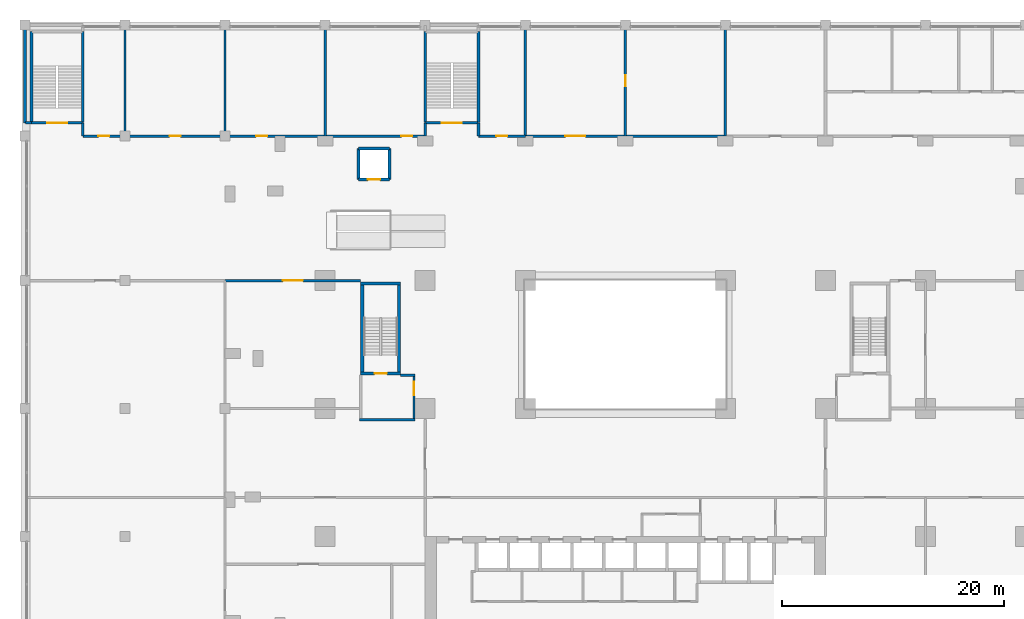
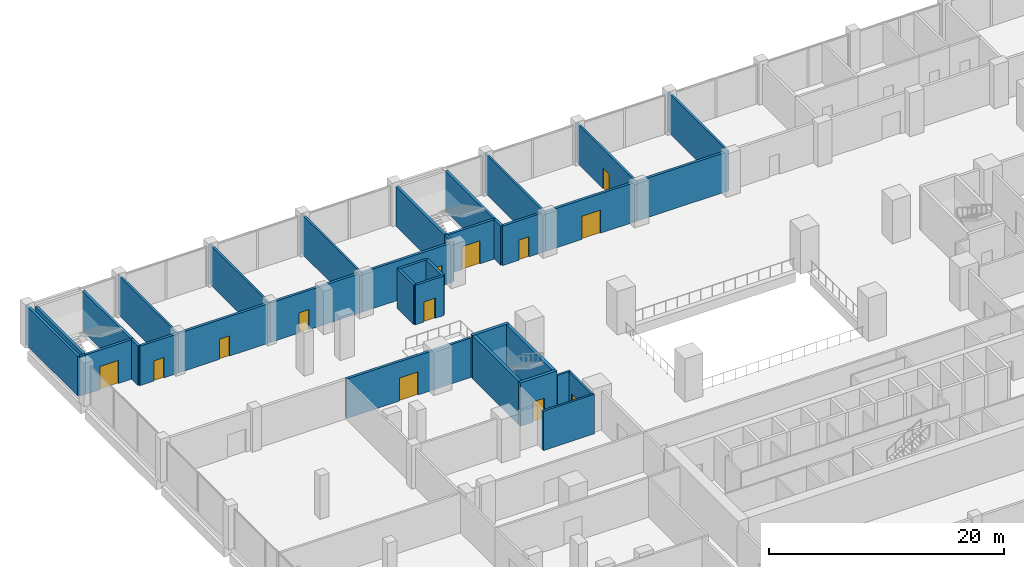
# One storey, part 17 of 22: 36 walls, 13 doors, 13 openings.
"""IFC4 building model written with IfcOpenShell, lengths in metres."""

from ifc_helpers import new_model, si_unit, direction, frame, frame_2d, origin, place, context, subcontext, project, spatial, rectangle, extrude, material, layer, layer_set, type_object, element, fill, save


model = new_model("IFC4")

# Units and contexts
model_context = context("Model", 3, precision=1e-05, world=origin(), true_north=direction((0.0, 1.0)))
body_context = subcontext(model_context, "Body", "Model", "MODEL_VIEW")
ifc_project = project(units=[si_unit("LENGTHUNIT", "METRE"), si_unit("AREAUNIT", "SQUARE_METRE"), si_unit("VOLUMEUNIT", "CUBIC_METRE"), si_unit("PLANEANGLEUNIT", "RADIAN"), si_unit("MASSUNIT", "GRAM", prefix="KILO")], contexts=[model_context])

# Site, building, storey
site_placement = place(None, origin())
site = spatial("IfcSite", under=ifc_project, at=site_placement, CompositionType="ELEMENT")
building_placement = place(site_placement, origin())
building = spatial("IfcBuilding", under=site, at=building_placement, Name="Brigalow Station Residences", CompositionType="ELEMENT")
storey_placement = place(building_placement, frame((0.0, 0.0, 6.5)))
storey = spatial("IfcBuildingStorey", under=building, at=storey_placement, Name="L01", CompositionType="ELEMENT", Elevation=6.5)

# Wall, opening, door
ifc_material_1 = material(Name="Concrete C80", Category="concrete")
ifc_layer_1 = layer(ifc_material_1, 0.300048828125)
ifc_layer_set_1 = layer_set([ifc_layer_1], Name="CORE SHEAR WALL 300 C80")
wall_type_1 = type_object("IfcWallType", Name="CORE SHEAR WALL 300 C80", PredefinedType="SHEAR", material=ifc_layer_set_1)
wall_1_placement = place(storey_placement, frame((12.199951171875, 27.14990234375, 0.0), z_axis=(0.0, 0.0, 1.0), x_axis=(1.0, 0.0, 0.0)))
wall_1 = element("IfcWall", 1, at=wall_1_placement, inside=storey, type_object=wall_type_1, Name="CORE WALL ST-S1-S L01", PredefinedType="SHEAR", context=body_context, shape_type="SweptSolid", body=[
    extrude(rectangle(XDim=3.60009765625, YDim=0.300048828125, at=frame_2d((1.800048828125, 0.0))), origin(), (0.0, 0.0, 1.0), 4.5),
])
opening_1_placement = place(wall_1_placement, frame((1.25, 0.0, 0.0)))
opening_1 = element("IfcOpeningElement", 2, at=opening_1_placement, cuts=wall_1, Name="Opening D-5015", PredefinedType="OPENING", context=body_context, shape_type="SweptSolid", body=[
    extrude(rectangle(XDim=1.10009765625, YDim=2.10009765625, at=frame_2d((0.550048828125, 1.050048828125))), frame((0.0, 0.16015625, 0.0), z_axis=(0.0, -1.0, 0.0), x_axis=(1.0, 0.0, 0.0)), (0.0, 0.0, 1.0), 0.320068359375),
])
ifc_material_2 = material(Name="Steel fire door leaf in steel frame", Category="steel")
door_type_1 = type_object("IfcDoorType", Name="STAIR DOOR 1100 x 2100 FD60S", OperationType="SINGLE_SWING_LEFT", PredefinedType="DOOR", material=ifc_material_2)
door_1_placement = place(opening_1_placement, origin())
door_1 = element("IfcDoor", 3, at=door_1_placement, inside=storey, type_object=door_type_1, Name="D-5015", OperationType="SINGLE_SWING_LEFT", OverallHeight=2.10009765625, OverallWidth=1.10009765625, PredefinedType="DOOR", context=body_context, shape_type="SweptSolid", body=[
    extrude(rectangle(XDim=1.10009765625, YDim=2.10009765625, at=frame_2d((0.550048828125, 1.050048828125))), frame((0.0, 0.02490234375, 0.0), z_axis=(0.0, -1.0, 0.0), x_axis=(1.0, 0.0, 0.0)), (0.0, 0.0, 1.0), 0.050048828125),
])
fill(opening_1, door_1)

# Walls
wall_2_placement = place(storey_placement, frame((12.199951171875, 35.25, 0.0), z_axis=(0.0, 0.0, 1.0), x_axis=(1.0, 0.0, 0.0)))
element("IfcWall", 4, at=wall_2_placement, inside=storey, type_object=wall_type_1, Name="CORE WALL ST-S1-N L01", PredefinedType="SHEAR", context=body_context, shape_type="SweptSolid", body=[
    extrude(rectangle(XDim=3.60009765625, YDim=0.300048828125, at=frame_2d((1.800048828125, 0.0))), origin(), (0.0, 0.0, 1.0), 4.5),
])
for number, where, z_axis, x_axis, name in (
    (5, (12.35009765625, 27.300048828125, 0.0), (0.0, 0.0, 1.0), (0.0, 1.0, 0.0), "CORE WALL ST-S1-W L01"),
    (6, (15.64990234375, 27.300048828125, 0.0), (0.0, 0.0, 1.0), (0.0, 1.0, 0.0), "CORE WALL ST-S1-E L01"),
):
    element("IfcWall", number, at=place(storey_placement, frame(where, z_axis=z_axis, x_axis=x_axis)), inside=storey, type_object=wall_type_1, Name=name, PredefinedType="SHEAR", context=body_context, shape_type="SweptSolid", body=[
        extrude(rectangle(XDim=7.800048828125, YDim=0.300048828125, at=frame_2d((3.89990234375, 0.0))), origin(), (0.0, 0.0, 1.0), 4.5),
    ])

# Wall, opening, door
ifc_material_3 = material(Name="Fire-rated plasterboard on steel studs", Category="steel")
ifc_layer_2 = layer(ifc_material_3, 0.25)
ifc_layer_set_2 = layer_set([ifc_layer_2], Name="FIRE PARTITION 250")
wall_type_2 = type_object("IfcWallType", Name="FIRE PARTITION 250", PredefinedType="PARTITIONING", material=ifc_layer_set_2)
wall_3_placement = place(storey_placement, frame((-12.800048828125, 48.5, 0.0), z_axis=(0.0, 0.0, 1.0), x_axis=(1.0, 0.0, 0.0)))
wall_3 = element("IfcWall", 7, at=wall_3_placement, inside=storey, type_object=wall_type_2, Name="Fire Partition 250 Mezzanine Gallery / Retail Unit 1", PredefinedType="PARTITIONING", context=body_context, shape_type="SweptSolid", body=[
    extrude(rectangle(XDim=3.800048828125, YDim=0.25, at=frame_2d((1.89990234375, 0.0))), origin(), (0.0, 0.0, 1.0), 4.097900390625),
])
opening_2_placement = place(wall_3_placement, frame((1.39990234375, 0.0, 0.0)))
opening_2 = element("IfcOpeningElement", 8, at=opening_2_placement, cuts=wall_3, Name="Opening D-7301", PredefinedType="OPENING", context=body_context, shape_type="SweptSolid", body=[
    extrude(rectangle(XDim=1.0, YDim=2.10009765625, at=frame_2d((0.5, 1.050048828125))), frame((0.0, 0.135009765625, 0.0), z_axis=(0.0, -1.0, 0.0), x_axis=(1.0, 0.0, 0.0)), (0.0, 0.0, 1.0), 0.27001953125),
])
ifc_material_4 = material(Name="Steel fire door leaf in steel frame", Category="steel")
door_type_2 = type_object("IfcDoorType", Name="DOOR SINGLE 1000 FIRE", OperationType="SINGLE_SWING_LEFT", PredefinedType="DOOR", material=ifc_material_4)
door_2_placement = place(opening_2_placement, origin())
door_2 = element("IfcDoor", 9, at=door_2_placement, inside=storey, type_object=door_type_2, Name="Retail unit 1 door", OperationType="SINGLE_SWING_LEFT", OverallHeight=2.10009765625, OverallWidth=1.0, PredefinedType="DOOR", context=body_context, shape_type="SweptSolid", body=[
    extrude(rectangle(XDim=1.0, YDim=2.10009765625, at=frame_2d((0.5, 1.050048828125))), frame((0.0, 0.02490234375, 0.0), z_axis=(0.0, -1.0, 0.0), x_axis=(1.0, 0.0, 0.0)), (0.0, 0.0, 1.0), 0.050048828125),
])
fill(opening_2, door_2)

# Wall
wall_4_placement = place(storey_placement, frame((-12.800048828125, 48.5, 0.0), z_axis=(0.0, 0.0, 1.0), x_axis=(0.0, 1.0, 0.0)))
element("IfcWall", 10, at=wall_4_placement, inside=storey, type_object=wall_type_2, Name="Fire Partition 250 Mezzanine Gallery / Retail Unit 1", PredefinedType="PARTITIONING", context=body_context, shape_type="SweptSolid", body=[
    extrude(rectangle(XDim=1.199951171875, YDim=0.25, at=frame_2d((0.60009765625, 0.0))), origin(), (0.0, 0.0, 1.0), 4.097900390625),
])

# Wall, opening, door
wall_5_placement = place(storey_placement, frame((-9.0, 48.5, 0.0), z_axis=(0.0, 0.0, 1.0), x_axis=(1.0, 0.0, 0.0)))
wall_5 = element("IfcWall", 11, at=wall_5_placement, inside=storey, type_object=wall_type_2, Name="Fire Partition 250 Mezzanine Gallery / Retail Unit 2", PredefinedType="PARTITIONING", context=body_context, shape_type="SweptSolid", body=[
    extrude(rectangle(XDim=9.0, YDim=0.25, at=frame_2d((4.5, 0.0))), origin(), (0.0, 0.0, 1.0), 4.097900390625),
])
opening_3_placement = place(wall_5_placement, frame((4.0, 0.0, 0.0)))
opening_3 = element("IfcOpeningElement", 12, at=opening_3_placement, cuts=wall_5, Name="Opening D-7302", PredefinedType="OPENING", context=body_context, shape_type="SweptSolid", body=[
    extrude(rectangle(XDim=1.0, YDim=2.10009765625, at=frame_2d((0.5, 1.050048828125))), frame((0.0, 0.135009765625, 0.0), z_axis=(0.0, -1.0, 0.0), x_axis=(1.0, 0.0, 0.0)), (0.0, 0.0, 1.0), 0.27001953125),
])
door_3_placement = place(opening_3_placement, origin())
door_3 = element("IfcDoor", 13, at=door_3_placement, inside=storey, type_object=door_type_2, Name="Retail unit 2 door", OperationType="SINGLE_SWING_RIGHT", OverallHeight=2.10009765625, OverallWidth=1.0, PredefinedType="DOOR", context=body_context, shape_type="SweptSolid", body=[
    extrude(rectangle(XDim=1.0, YDim=2.10009765625, at=frame_2d((0.5, 1.050048828125))), frame((0.0, 0.02490234375, 0.0), z_axis=(0.0, -1.0, 0.0), x_axis=(1.0, 0.0, 0.0)), (0.0, 0.0, 1.0), 0.050048828125),
])
fill(opening_3, door_3)

wall_6_placement = place(storey_placement, frame((0.0, 48.5, 0.0), z_axis=(0.0, 0.0, 1.0), x_axis=(1.0, 0.0, 0.0)))
wall_6 = element("IfcWall", 14, at=wall_6_placement, inside=storey, type_object=wall_type_2, Name="Fire Partition 250 Mezzanine Gallery / Retail Unit 3", PredefinedType="PARTITIONING", context=body_context, shape_type="SweptSolid", body=[
    extrude(rectangle(XDim=9.0, YDim=0.25, at=frame_2d((4.5, 0.0))), origin(), (0.0, 0.0, 1.0), 4.097900390625),
])
opening_4_placement = place(wall_6_placement, frame((2.800048828125, 0.0, 0.0)))
opening_4 = element("IfcOpeningElement", 15, at=opening_4_placement, cuts=wall_6, Name="Opening D-7303", PredefinedType="OPENING", context=body_context, shape_type="SweptSolid", body=[
    extrude(rectangle(XDim=1.0, YDim=2.10009765625, at=frame_2d((0.5, 1.050048828125))), frame((0.0, 0.135009765625, 0.0), z_axis=(0.0, -1.0, 0.0), x_axis=(1.0, 0.0, 0.0)), (0.0, 0.0, 1.0), 0.27001953125),
])
door_4_placement = place(opening_4_placement, origin())
door_4 = element("IfcDoor", 16, at=door_4_placement, inside=storey, type_object=door_type_2, Name="Retail unit 3 door", OperationType="SINGLE_SWING_LEFT", OverallHeight=2.10009765625, OverallWidth=1.0, PredefinedType="DOOR", context=body_context, shape_type="SweptSolid", body=[
    extrude(rectangle(XDim=1.0, YDim=2.10009765625, at=frame_2d((0.5, 1.050048828125))), frame((0.0, 0.02490234375, 0.0), z_axis=(0.0, -1.0, 0.0), x_axis=(1.0, 0.0, 0.0)), (0.0, 0.0, 1.0), 0.050048828125),
])
fill(opening_4, door_4)

wall_7_placement = place(storey_placement, frame((9.0, 48.5, 0.0), z_axis=(0.0, 0.0, 1.0), x_axis=(1.0, 0.0, 0.0)))
wall_7 = element("IfcWall", 17, at=wall_7_placement, inside=storey, type_object=wall_type_2, Name="Fire Partition 250 Mezzanine Gallery / Retail Unit 4", PredefinedType="PARTITIONING", context=body_context, shape_type="SweptSolid", body=[
    extrude(rectangle(XDim=9.0, YDim=0.25, at=frame_2d((4.5, 0.0))), origin(), (0.0, 0.0, 1.0), 4.097900390625),
])
opening_5_placement = place(wall_7_placement, frame((6.85009765625, 0.0, 0.0)))
opening_5 = element("IfcOpeningElement", 18, at=opening_5_placement, cuts=wall_7, Name="Opening D-7304", PredefinedType="OPENING", context=body_context, shape_type="SweptSolid", body=[
    extrude(rectangle(XDim=1.0, YDim=2.10009765625, at=frame_2d((0.5, 1.050048828125))), frame((0.0, 0.135009765625, 0.0), z_axis=(0.0, -1.0, 0.0), x_axis=(1.0, 0.0, 0.0)), (0.0, 0.0, 1.0), 0.27001953125),
])
door_5_placement = place(opening_5_placement, origin())
door_5 = element("IfcDoor", 19, at=door_5_placement, inside=storey, type_object=door_type_2, Name="Retail unit 4 door", OperationType="SINGLE_SWING_RIGHT", OverallHeight=2.10009765625, OverallWidth=1.0, PredefinedType="DOOR", context=body_context, shape_type="SweptSolid", body=[
    extrude(rectangle(XDim=1.0, YDim=2.10009765625, at=frame_2d((0.5, 1.050048828125))), frame((0.0, 0.02490234375, 0.0), z_axis=(0.0, -1.0, 0.0), x_axis=(1.0, 0.0, 0.0)), (0.0, 0.0, 1.0), 0.050048828125),
])
fill(opening_5, door_5)

# Wall
wall_8_placement = place(storey_placement, frame((18.0, 48.5, 0.0), z_axis=(0.0, 0.0, 1.0), x_axis=(0.0, 1.0, 0.0)))
element("IfcWall", 20, at=wall_8_placement, inside=storey, type_object=wall_type_2, Name="Fire Partition 250 Mezzanine Gallery / Retail Unit 4", PredefinedType="PARTITIONING", context=body_context, shape_type="SweptSolid", body=[
    extrude(rectangle(XDim=1.199951171875, YDim=0.25, at=frame_2d((0.60009765625, 0.0))), origin(), (0.0, 0.0, 1.0), 4.097900390625),
])

# Wall, opening, door
wall_9_placement = place(storey_placement, frame((22.800048828125, 48.5, 0.0), z_axis=(0.0, 0.0, 1.0), x_axis=(1.0, 0.0, 0.0)))
wall_9 = element("IfcWall", 21, at=wall_9_placement, inside=storey, type_object=wall_type_2, Name="Fire Partition 250 Mezzanine Gallery / Retail Unit 5", PredefinedType="PARTITIONING", context=body_context, shape_type="SweptSolid", body=[
    extrude(rectangle(XDim=4.199951171875, YDim=0.25, at=frame_2d((2.10009765625, 0.0))), origin(), (0.0, 0.0, 1.0), 4.097900390625),
])
opening_6_placement = place(wall_9_placement, frame((1.60009765625, 0.0, 0.0)))
opening_6 = element("IfcOpeningElement", 22, at=opening_6_placement, cuts=wall_9, Name="Opening D-7305", PredefinedType="OPENING", context=body_context, shape_type="SweptSolid", body=[
    extrude(rectangle(XDim=1.0, YDim=2.10009765625, at=frame_2d((0.5, 1.050048828125))), frame((0.0, 0.135009765625, 0.0), z_axis=(0.0, -1.0, 0.0), x_axis=(1.0, 0.0, 0.0)), (0.0, 0.0, 1.0), 0.27001953125),
])
door_6_placement = place(opening_6_placement, origin())
door_6 = element("IfcDoor", 23, at=door_6_placement, inside=storey, type_object=door_type_2, Name="Retail unit 5 door", OperationType="SINGLE_SWING_RIGHT", OverallHeight=2.10009765625, OverallWidth=1.0, PredefinedType="DOOR", context=body_context, shape_type="SweptSolid", body=[
    extrude(rectangle(XDim=1.0, YDim=2.10009765625, at=frame_2d((0.5, 1.050048828125))), frame((0.0, 0.02490234375, 0.0), z_axis=(0.0, -1.0, 0.0), x_axis=(1.0, 0.0, 0.0)), (0.0, 0.0, 1.0), 0.050048828125),
])
fill(opening_6, door_6)

# Walls
wall_10_placement = place(storey_placement, frame((22.800048828125, 48.5, 0.0), z_axis=(0.0, 0.0, 1.0), x_axis=(0.0, 1.0, 0.0)))
element("IfcWall", 24, at=wall_10_placement, inside=storey, type_object=wall_type_2, Name="Fire Partition 250 Mezzanine Gallery / Retail Unit 5", PredefinedType="PARTITIONING", context=body_context, shape_type="SweptSolid", body=[
    extrude(rectangle(XDim=1.199951171875, YDim=0.25, at=frame_2d((0.60009765625, 0.0))), origin(), (0.0, 0.0, 1.0), 4.097900390625),
])
wall_11_placement = place(storey_placement, frame((-17.955078125, 49.699951171875, 0.0), z_axis=(0.0, 0.0, 1.0), x_axis=(1.0, 0.0, 0.0)))
element("IfcWall", 25, at=wall_11_placement, inside=storey, type_object=wall_type_2, Name="Fire Partition 250 Mezzanine Gallery / Exit Stair St-4 Services Riser", PredefinedType="PARTITIONING", context=body_context, shape_type="SweptSolid", body=[
    extrude(rectangle(XDim=0.530029296875, YDim=0.25, at=frame_2d((0.26513671875, 0.0))), origin(), (0.0, 0.0, 1.0), 4.097900390625),
])

# Wall, opening, door
wall_12_placement = place(storey_placement, frame((27.0, 48.5, 0.0), z_axis=(0.0, 0.0, 1.0), x_axis=(1.0, 0.0, 0.0)))
wall_12 = element("IfcWall", 26, at=wall_12_placement, inside=storey, type_object=wall_type_2, Name="Fire Partition 250 Mezzanine Gallery / Cafe", PredefinedType="PARTITIONING", context=body_context, shape_type="SweptSolid", body=[
    extrude(rectangle(XDim=9.0, YDim=0.25, at=frame_2d((4.5, 0.0))), origin(), (0.0, 0.0, 1.0), 4.097900390625),
])
opening_7_placement = place(wall_12_placement, frame((3.60009765625, 0.0, 0.0)))
opening_7 = element("IfcOpeningElement", 27, at=opening_7_placement, cuts=wall_12, Name="Opening D-7306", PredefinedType="OPENING", context=body_context, shape_type="SweptSolid", body=[
    extrude(rectangle(XDim=1.800048828125, YDim=2.39990234375, at=frame_2d((0.89990234375, 1.199951171875))), frame((0.0, 0.135009765625, 0.0), z_axis=(0.0, -1.0, 0.0), x_axis=(1.0, 0.0, 0.0)), (0.0, 0.0, 1.0), 0.27001953125),
])
ifc_material_5 = material(Name="Steel fire door leaves in steel frame", Category="steel")
door_type_3 = type_object("IfcDoorType", Name="DOOR DOUBLE 1800 FIRE", OperationType="DOUBLE_DOOR_SINGLE_SWING", PredefinedType="DOOR", material=ifc_material_5)
door_7_placement = place(opening_7_placement, frame((1.800048828125, 0.0, 0.0), z_axis=(0.0, 0.0, 1.0), x_axis=(-1.0, 0.0, 0.0)))
door_7 = element("IfcDoor", 28, at=door_7_placement, inside=storey, type_object=door_type_3, Name="Cafe door", OperationType="DOUBLE_DOOR_SINGLE_SWING", OverallHeight=2.39990234375, OverallWidth=1.800048828125, PredefinedType="DOOR", context=body_context, shape_type="SweptSolid", body=[
    extrude(rectangle(XDim=1.800048828125, YDim=2.39990234375, at=frame_2d((0.89990234375, 1.199951171875))), frame((0.0, 0.02490234375, 0.0), z_axis=(0.0, -1.0, 0.0), x_axis=(1.0, 0.0, 0.0)), (0.0, 0.0, 1.0), 0.050048828125),
])
fill(opening_7, door_7)

# Wall
wall_13_placement = place(storey_placement, frame((36.0, 48.5, 0.0), z_axis=(0.0, 0.0, 1.0), x_axis=(1.0, 0.0, 0.0)))
element("IfcWall", 29, at=wall_13_placement, inside=storey, type_object=wall_type_2, Name="Fire Partition 250 Mezzanine Gallery / Cafe Store Room", PredefinedType="PARTITIONING", context=body_context, shape_type="SweptSolid", body=[
    extrude(rectangle(XDim=9.0, YDim=0.25, at=frame_2d((4.5, 0.0))), origin(), (0.0, 0.0, 1.0), 4.097900390625),
])

# Wall, opening, door
wall_14_placement = place(storey_placement, frame((0.0, 35.5, 0.0), z_axis=(0.0, 0.0, 1.0), x_axis=(1.0, 0.0, 0.0)))
wall_14 = element("IfcWall", 30, at=wall_14_placement, inside=storey, type_object=wall_type_2, Name="Fire Partition 250 Mezzanine Gallery / Residents' Library", PredefinedType="PARTITIONING", context=body_context, shape_type="SweptSolid", body=[
    extrude(rectangle(XDim=12.199951171875, YDim=0.25, at=frame_2d((6.10009765625, 0.0))), origin(), (0.0, 0.0, 1.0), 4.097900390625),
])
opening_8_placement = place(wall_14_placement, frame((5.199951171875, 0.0, 0.0)))
opening_8 = element("IfcOpeningElement", 31, at=opening_8_placement, cuts=wall_14, Name="Opening D-7321", PredefinedType="OPENING", context=body_context, shape_type="SweptSolid", body=[
    extrude(rectangle(XDim=1.800048828125, YDim=2.39990234375, at=frame_2d((0.89990234375, 1.199951171875))), frame((0.0, 0.135009765625, 0.0), z_axis=(0.0, -1.0, 0.0), x_axis=(1.0, 0.0, 0.0)), (0.0, 0.0, 1.0), 0.27001953125),
])
door_8_placement = place(opening_8_placement, origin())
door_8 = element("IfcDoor", 32, at=door_8_placement, inside=storey, type_object=door_type_3, Name="Residents' library door", OperationType="DOUBLE_DOOR_SINGLE_SWING", OverallHeight=2.39990234375, OverallWidth=1.800048828125, PredefinedType="DOOR", context=body_context, shape_type="SweptSolid", body=[
    extrude(rectangle(XDim=1.800048828125, YDim=2.39990234375, at=frame_2d((0.89990234375, 1.199951171875))), frame((0.0, 0.02490234375, 0.0), z_axis=(0.0, -1.0, 0.0), x_axis=(1.0, 0.0, 0.0)), (0.0, 0.0, 1.0), 0.050048828125),
])
fill(opening_8, door_8)

# Walls
ifc_material_6 = material(Name="Concrete blockwork", Category="masonry")
ifc_layer_3 = layer(ifc_material_6, 0.199951171875)
ifc_layer_set_3 = layer_set([ifc_layer_3], Name="FIRE RATED CORE PARTITION 200")
wall_type_3 = type_object("IfcWallType", Name="FIRE RATED CORE PARTITION 200", PredefinedType="PARTITIONING", material=ifc_layer_set_3)
wall_15_placement = place(storey_placement, frame((12.10009765625, 23.0, 0.0), z_axis=(0.0, 0.0, 1.0), x_axis=(1.0, 0.0, 0.0)))
element("IfcWall", 33, at=wall_15_placement, inside=storey, type_object=wall_type_3, Name="PW-5023", PredefinedType="PARTITIONING", context=body_context, shape_type="SweptSolid", body=[
    extrude(rectangle(XDim=5.0, YDim=0.199951171875, at=frame_2d((2.5, 0.0))), origin(), (0.0, 0.0, 1.0), 4.097900390625),
])
wall_16_placement = place(storey_placement, frame((15.800048828125, 27.0, 0.0), z_axis=(0.0, 0.0, 1.0), x_axis=(1.0, 0.0, 0.0)))
element("IfcWall", 34, at=wall_16_placement, inside=storey, type_object=wall_type_3, Name="PW-5025", PredefinedType="PARTITIONING", context=body_context, shape_type="SweptSolid", body=[
    extrude(rectangle(XDim=1.300048828125, YDim=0.199951171875, at=frame_2d((0.64990234375, 0.0))), origin(), (0.0, 0.0, 1.0), 4.097900390625),
])

# Wall, opening, door
wall_17_placement = place(storey_placement, frame((17.0, 23.10009765625, 0.0), z_axis=(0.0, 0.0, 1.0), x_axis=(0.0, 1.0, 0.0)))
wall_17 = element("IfcWall", 35, at=wall_17_placement, inside=storey, type_object=wall_type_3, Name="PW-5035", PredefinedType="PARTITIONING", context=body_context, shape_type="SweptSolid", body=[
    extrude(rectangle(XDim=3.7998046875, YDim=0.199951171875, at=frame_2d((1.89990234375, 0.0))), origin(), (0.0, 0.0, 1.0), 4.097900390625),
])
opening_9_placement = place(wall_17_placement, frame((2.10009765625, 0.0, 0.0)))
opening_9 = element("IfcOpeningElement", 36, at=opening_9_placement, cuts=wall_17, Name="Opening D-5016", PredefinedType="OPENING", context=body_context, shape_type="SweptSolid", body=[
    extrude(rectangle(XDim=1.199951171875, YDim=2.10009765625, at=frame_2d((0.60009765625, 1.050048828125))), frame((0.0, 0.10986328125, 0.0), z_axis=(0.0, -1.0, 0.0), x_axis=(1.0, 0.0, 0.0)), (0.0, 0.0, 1.0), 0.219970703125),
])
ifc_material_7 = material(Name="Steel fire door leaf in steel frame", Category="steel")
door_type_4 = type_object("IfcDoorType", Name="STAIR LOBBY DOOR 1200 x 2100 FD60S", OperationType="SINGLE_SWING_LEFT", PredefinedType="DOOR", material=ifc_material_7)
door_9_placement = place(opening_9_placement, frame((1.199951171875, 0.0, 0.0), z_axis=(0.0, 0.0, 1.0), x_axis=(-1.0, 0.0, 0.0)))
door_9 = element("IfcDoor", 37, at=door_9_placement, inside=storey, type_object=door_type_4, Name="D-5016", OperationType="SINGLE_SWING_RIGHT", OverallHeight=2.10009765625, OverallWidth=1.199951171875, PredefinedType="DOOR", context=body_context, shape_type="SweptSolid", body=[
    extrude(rectangle(XDim=1.199951171875, YDim=2.10009765625, at=frame_2d((0.60009765625, 1.050048828125))), frame((0.0, 0.02490234375, 0.0), z_axis=(0.0, -1.0, 0.0), x_axis=(1.0, 0.0, 0.0)), (0.0, 0.0, 1.0), 0.050048828125),
])
fill(opening_9, door_9)

# Walls
ifc_material_8 = material(Name="Plasterboard on steel studs with acoustic insulation", Category="steel")
ifc_layer_4 = layer(ifc_material_8, 0.199951171875)
ifc_layer_set_4 = layer_set([ifc_layer_4], Name="PARTITION 200")
wall_type_4 = type_object("IfcWallType", Name="PARTITION 200", PredefinedType="PARTITIONING", material=ifc_layer_set_4)
for number, where, z_axis, x_axis, name in (
    (38, (-9.0, 48.5, 0.0), (0.0, 0.0, 1.0), (0.0, 1.0, 0.0), "Partition 200 Retail Unit 1 / Retail Unit 2"),
    (39, (0.0, 48.5, 0.0), (0.0, 0.0, 1.0), (0.0, 1.0, 0.0), "Partition 200 Retail Unit 2 / Retail Unit 3"),
    (40, (9.0, 48.5, 0.0), (0.0, 0.0, 1.0), (0.0, 1.0, 0.0), "Partition 200 Retail Unit 3 / Retail Unit 4"),
    (41, (27.0, 48.5, 0.0), (0.0, 0.0, 1.0), (0.0, 1.0, 0.0), "Partition 200 Retail Unit 5 / Cafe"),
):
    element("IfcWall", number, at=place(storey_placement, frame(where, z_axis=z_axis, x_axis=x_axis)), inside=storey, type_object=wall_type_4, Name=name, PredefinedType="PARTITIONING", context=body_context, shape_type="SweptSolid", body=[
        extrude(rectangle(XDim=10.0, YDim=0.199951171875, at=frame_2d((5.0, 0.0))), origin(), (0.0, 0.0, 1.0), 4.097900390625),
    ])

# Wall, opening, door
wall_18_placement = place(storey_placement, frame((36.0, 48.5, 0.0), z_axis=(0.0, 0.0, 1.0), x_axis=(0.0, 1.0, 0.0)))
wall_18 = element("IfcWall", 42, at=wall_18_placement, inside=storey, type_object=wall_type_4, Name="Partition 200 Cafe / Cafe Store Room", PredefinedType="PARTITIONING", context=body_context, shape_type="SweptSolid", body=[
    extrude(rectangle(XDim=10.0, YDim=0.199951171875, at=frame_2d((5.0, 0.0))), origin(), (0.0, 0.0, 1.0), 4.097900390625),
])
opening_10_placement = place(wall_18_placement, frame((4.5, 0.0, 0.0)))
opening_10 = element("IfcOpeningElement", 43, at=opening_10_placement, cuts=wall_18, Name="Opening D-7307", PredefinedType="OPENING", context=body_context, shape_type="SweptSolid", body=[
    extrude(rectangle(XDim=1.0, YDim=2.10009765625, at=frame_2d((0.5, 1.050048828125))), frame((0.0, 0.10986328125, 0.0), z_axis=(0.0, -1.0, 0.0), x_axis=(1.0, 0.0, 0.0)), (0.0, 0.0, 1.0), 0.219970703125),
])
ifc_material_9 = material(Name="Timber door leaf in steel frame", Category="steel")
door_type_5 = type_object("IfcDoorType", Name="DOOR SINGLE 1000", OperationType="SINGLE_SWING_LEFT", PredefinedType="DOOR", material=ifc_material_9)
door_10_placement = place(opening_10_placement, frame((1.0, 0.0, 0.0), z_axis=(0.0, 0.0, 1.0), x_axis=(-1.0, 0.0, 0.0)))
door_10 = element("IfcDoor", 44, at=door_10_placement, inside=storey, type_object=door_type_5, Name="Cafe store room door", OperationType="SINGLE_SWING_RIGHT", OverallHeight=2.10009765625, OverallWidth=1.0, PredefinedType="DOOR", context=body_context, shape_type="SweptSolid", body=[
    extrude(rectangle(XDim=1.0, YDim=2.10009765625, at=frame_2d((0.5, 1.050048828125))), frame((0.0, 0.02490234375, 0.0), z_axis=(0.0, -1.0, 0.0), x_axis=(1.0, 0.0, 0.0)), (0.0, 0.0, 1.0), 0.050048828125),
])
fill(opening_10, door_10)

# Wall
wall_19_placement = place(storey_placement, frame((45.0, 48.5, 0.0), z_axis=(0.0, 0.0, 1.0), x_axis=(0.0, 1.0, 0.0)))
element("IfcWall", 45, at=wall_19_placement, inside=storey, type_object=wall_type_4, Name="Partition 200 Cafe Store Room / Retail Unit 6", PredefinedType="PARTITIONING", context=body_context, shape_type="SweptSolid", body=[
    extrude(rectangle(XDim=10.0, YDim=0.199951171875, at=frame_2d((5.0, 0.0))), origin(), (0.0, 0.0, 1.0), 4.097900390625),
])

# Wall, opening, door
ifc_material_10 = material(Name="Concrete blockwork", Category="masonry")
ifc_layer_5 = layer(ifc_material_10, 0.25)
ifc_layer_set_5 = layer_set([ifc_layer_5], Name="SHAFT WALL 250")
wall_type_5 = type_object("IfcWallType", Name="SHAFT WALL 250", PredefinedType="SOLIDWALL", material=ifc_layer_set_5)
wall_20_placement = place(storey_placement, frame((12.0, 44.60009765625, 0.0), z_axis=(0.0, 0.0, 1.0), x_axis=(1.0, 0.0, 0.0)))
wall_20 = element("IfcWall", 46, at=wall_20_placement, inside=storey, type_object=wall_type_5, Name="Shaft Wall 250 Mezzanine Gallery / Lift Shaft Lp-2", PredefinedType="SOLIDWALL", context=body_context, shape_type="SweptSolid", body=[
    extrude(rectangle(XDim=2.800048828125, YDim=0.25, at=frame_2d((1.39990234375, 0.0))), origin(), (0.0, 0.0, 1.0), 4.097900390625),
])
opening_11_placement = place(wall_20_placement, frame((0.85009765625, 0.0, 0.0)))
opening_11 = element("IfcOpeningElement", 47, at=opening_11_placement, cuts=wall_20, Name="Opening LD-7314", PredefinedType="OPENING", context=body_context, shape_type="SweptSolid", body=[
    extrude(rectangle(XDim=1.10009765625, YDim=2.10009765625, at=frame_2d((0.550048828125, 1.050048828125))), frame((0.0, 0.135009765625, 0.0), z_axis=(0.0, -1.0, 0.0), x_axis=(1.0, 0.0, 0.0)), (0.0, 0.0, 1.0), 0.27001953125),
])
ifc_material_11 = material(Name="Stainless steel sliding door leaves", Category="steel")
door_type_6 = type_object("IfcDoorType", Name="DOOR LIFT LANDING 1100", OperationType="SLIDING_TO_LEFT", PredefinedType="DOOR", material=ifc_material_11)
door_11_placement = place(opening_11_placement, origin())
door_11 = element("IfcDoor", 48, at=door_11_placement, inside=storey, type_object=door_type_6, Name="Landing door public lift L01", OperationType="SLIDING_TO_LEFT", OverallHeight=2.10009765625, OverallWidth=1.10009765625, PredefinedType="DOOR", context=body_context, shape_type="SweptSolid", body=[
    extrude(rectangle(XDim=1.10009765625, YDim=2.10009765625, at=frame_2d((0.550048828125, 1.050048828125))), frame((0.0, 0.02490234375, 0.0), z_axis=(0.0, -1.0, 0.0), x_axis=(1.0, 0.0, 0.0)), (0.0, 0.0, 1.0), 0.050048828125),
])
fill(opening_11, door_11)

# Walls
wall_21_placement = place(storey_placement, frame((12.0, 47.39990234375, 0.0), z_axis=(0.0, 0.0, 1.0), x_axis=(1.0, 0.0, 0.0)))
element("IfcWall", 49, at=wall_21_placement, inside=storey, type_object=wall_type_5, Name="Shaft Wall 250 Mezzanine Gallery / Lift Shaft Lp-2", PredefinedType="SOLIDWALL", context=body_context, shape_type="SweptSolid", body=[
    extrude(rectangle(XDim=2.800048828125, YDim=0.25, at=frame_2d((1.39990234375, 0.0))), origin(), (0.0, 0.0, 1.0), 4.097900390625),
])
for number, where, z_axis, x_axis, name in (
    (50, (12.0, 44.60009765625, 0.0), (0.0, 0.0, 1.0), (0.0, 1.0, 0.0), "Shaft Wall 250 Mezzanine Gallery / Lift Shaft Lp-2"),
    (51, (14.800048828125, 44.60009765625, 0.0), (0.0, 0.0, 1.0), (0.0, 1.0, 0.0), "Shaft Wall 250 Mezzanine Gallery / Lift Shaft Lp-2"),
):
    element("IfcWall", number, at=place(storey_placement, frame(where, z_axis=z_axis, x_axis=x_axis)), inside=storey, type_object=wall_type_5, Name=name, PredefinedType="SOLIDWALL", context=body_context, shape_type="SweptSolid", body=[
        extrude(rectangle(XDim=2.7998046875, YDim=0.25, at=frame_2d((1.39990234375, 0.0))), origin(), (0.0, 0.0, 1.0), 4.097900390625),
    ])

# Wall, opening, door
ifc_material_12 = material(Name="Concrete C50", Category="concrete")
ifc_layer_6 = layer(ifc_material_12, 0.25)
ifc_layer_set_6 = layer_set([ifc_layer_6], Name="STAIR ENCLOSURE 250")
wall_type_6 = type_object("IfcWallType", Name="STAIR ENCLOSURE 250", PredefinedType="SOLIDWALL", material=ifc_layer_set_6)
wall_22_placement = place(storey_placement, frame((-17.425048828125, 49.699951171875, 0.0), z_axis=(0.0, 0.0, 1.0), x_axis=(1.0, 0.0, 0.0)))
wall_22 = element("IfcWall", 52, at=wall_22_placement, inside=storey, type_object=wall_type_6, Name="Stair Enclosure 250 Mezzanine Gallery / Exit Stair St-4", PredefinedType="SOLIDWALL", context=body_context, shape_type="SweptSolid", body=[
    extrude(rectangle(XDim=4.580078125, YDim=0.25, at=frame_2d((2.2900390625, 0.0))), origin(), (0.0, 0.0, 1.0), 4.097900390625),
])
opening_12_placement = place(wall_22_placement, frame((1.4130859375, 0.0, 0.0)))
opening_12 = element("IfcOpeningElement", 53, at=opening_12_placement, cuts=wall_22, Name="Opening D-7311", PredefinedType="OPENING", context=body_context, shape_type="SweptSolid", body=[
    extrude(rectangle(XDim=1.800048828125, YDim=2.39990234375, at=frame_2d((0.89990234375, 1.199951171875))), frame((0.0, 0.135009765625, 0.0), z_axis=(0.0, -1.0, 0.0), x_axis=(1.0, 0.0, 0.0)), (0.0, 0.0, 1.0), 0.27001953125),
])
door_12_placement = place(opening_12_placement, origin())
door_12 = element("IfcDoor", 54, at=door_12_placement, inside=storey, type_object=door_type_3, Name="Exit stair ST-4 door", OperationType="DOUBLE_DOOR_SINGLE_SWING", OverallHeight=2.39990234375, OverallWidth=1.800048828125, PredefinedType="DOOR", context=body_context, shape_type="SweptSolid", body=[
    extrude(rectangle(XDim=1.800048828125, YDim=2.39990234375, at=frame_2d((0.89990234375, 1.199951171875))), frame((0.0, 0.02490234375, 0.0), z_axis=(0.0, -1.0, 0.0), x_axis=(1.0, 0.0, 0.0)), (0.0, 0.0, 1.0), 0.050048828125),
])
fill(opening_12, door_12)

wall_23_placement = place(storey_placement, frame((18.044921875, 49.699951171875, 0.0), z_axis=(0.0, 0.0, 1.0), x_axis=(1.0, 0.0, 0.0)))
wall_23 = element("IfcWall", 55, at=wall_23_placement, inside=storey, type_object=wall_type_6, Name="Stair Enclosure 250 Mezzanine Gallery / Exit Stair St-6", PredefinedType="SOLIDWALL", context=body_context, shape_type="SweptSolid", body=[
    extrude(rectangle(XDim=4.7099609375, YDim=0.25, at=frame_2d((2.35498046875, 0.0))), origin(), (0.0, 0.0, 1.0), 4.097900390625),
])
opening_13_placement = place(wall_23_placement, frame((1.455078125, 0.0, 0.0)))
opening_13 = element("IfcOpeningElement", 56, at=opening_13_placement, cuts=wall_23, Name="Opening D-7313", PredefinedType="OPENING", context=body_context, shape_type="SweptSolid", body=[
    extrude(rectangle(XDim=1.800048828125, YDim=2.39990234375, at=frame_2d((0.89990234375, 1.199951171875))), frame((0.0, 0.135009765625, 0.0), z_axis=(0.0, -1.0, 0.0), x_axis=(1.0, 0.0, 0.0)), (0.0, 0.0, 1.0), 0.27001953125),
])
door_13_placement = place(opening_13_placement, origin())
door_13 = element("IfcDoor", 57, at=door_13_placement, inside=storey, type_object=door_type_3, Name="Exit stair ST-6 door", OperationType="DOUBLE_DOOR_SINGLE_SWING", OverallHeight=2.39990234375, OverallWidth=1.800048828125, PredefinedType="DOOR", context=body_context, shape_type="SweptSolid", body=[
    extrude(rectangle(XDim=1.800048828125, YDim=2.39990234375, at=frame_2d((0.89990234375, 1.199951171875))), frame((0.0, 0.02490234375, 0.0), z_axis=(0.0, -1.0, 0.0), x_axis=(1.0, 0.0, 0.0)), (0.0, 0.0, 1.0), 0.050048828125),
])
fill(opening_13, door_13)

# Walls
for number, where, z_axis, x_axis, name in (
    (58, (-12.800048828125, 49.7451171875, 0.0), (0.0, 0.0, 1.0), (0.0, 1.0, 0.0), "Stair Enclosure 250 Retail Unit 1 / Exit Stair St-4"),
    (59, (18.0, 49.7451171875, 0.0), (0.0, 0.0, 1.0), (0.0, 1.0, 0.0), "Stair Enclosure 250 Retail Unit 4 / Exit Stair St-6"),
    (60, (22.800048828125, 49.7451171875, 0.0), (0.0, 0.0, 1.0), (0.0, 1.0, 0.0), "Stair Enclosure 250 Retail Unit 5 / Exit Stair St-6"),
    (61, (-17.425048828125, 49.7451171875, 0.0), (0.0, 0.0, 1.0), (0.0, 1.0, 0.0), "Stair Enclosure 250 Exit Stair St-4 / Exit Stair St-4 Services Riser"),
):
    element("IfcWall", number, at=place(storey_placement, frame(where, z_axis=z_axis, x_axis=x_axis)), inside=storey, type_object=wall_type_6, Name=name, PredefinedType="SOLIDWALL", context=body_context, shape_type="SweptSolid", body=[
        extrude(rectangle(XDim=8.179931640625, YDim=0.25, at=frame_2d((4.08984375, 0.0))), origin(), (0.0, 0.0, 1.0), 4.097900390625),
    ])
ifc_material_13 = material(Name="Concrete C50", Category="concrete")
ifc_layer_7 = layer(ifc_material_13, 0.25)
ifc_layer_set_7 = layer_set([ifc_layer_7], Name="STAIR ROOF WALL 250")
wall_type_7 = type_object("IfcWallType", Name="STAIR ROOF WALL 250", PredefinedType="SOLIDWALL", material=ifc_layer_set_7)
wall_24_placement = place(storey_placement, frame((-18.0, 49.699951171875, 0.0), z_axis=(0.0, 0.0, 1.0), x_axis=(0.0, 1.0, 0.0)))
element("IfcWall", 62, at=wall_24_placement, inside=storey, type_object=wall_type_7, Name="Stair Roof Wall 250 Exit Stair St-4 Services Riser / OUT", PredefinedType="SOLIDWALL", context=body_context, shape_type="SweptSolid", body=[
    extrude(rectangle(XDim=8.755126953125, YDim=0.25, at=frame_2d((4.37744140625, 0.0))), origin(), (0.0, 0.0, 1.0), 4.097900390625),
])

save(model, "model.ifc")
